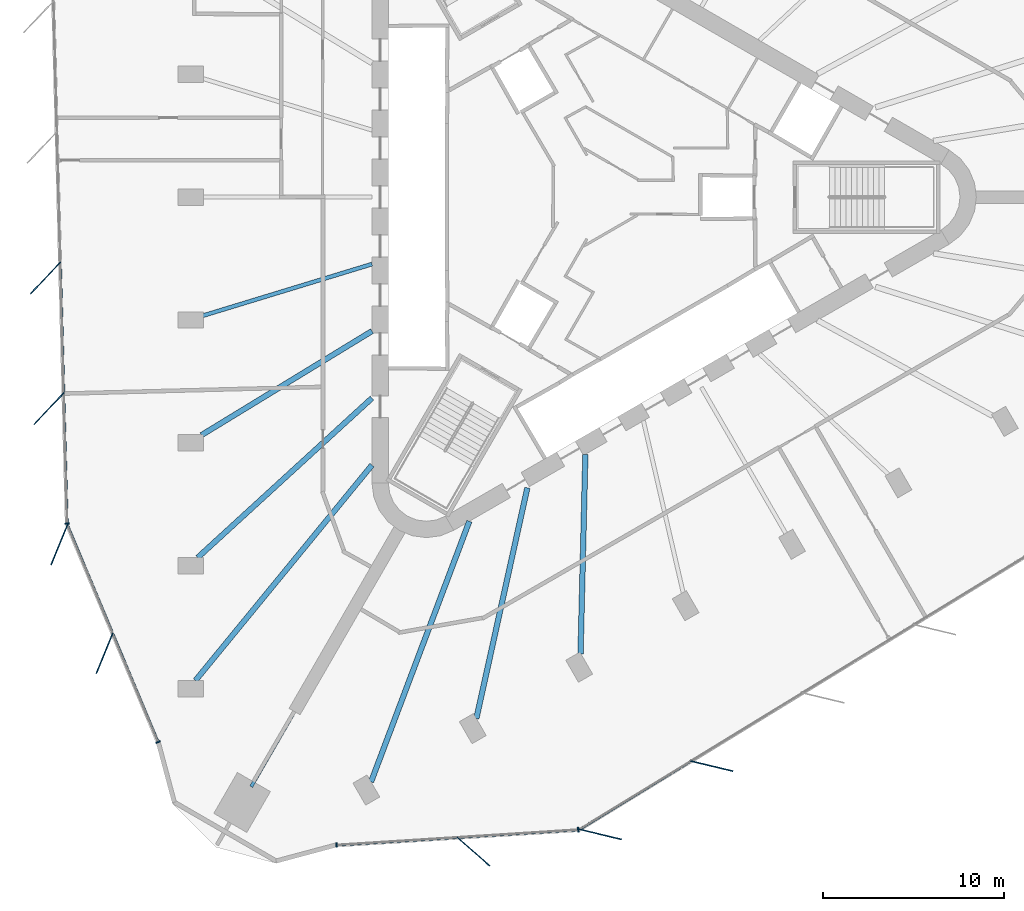
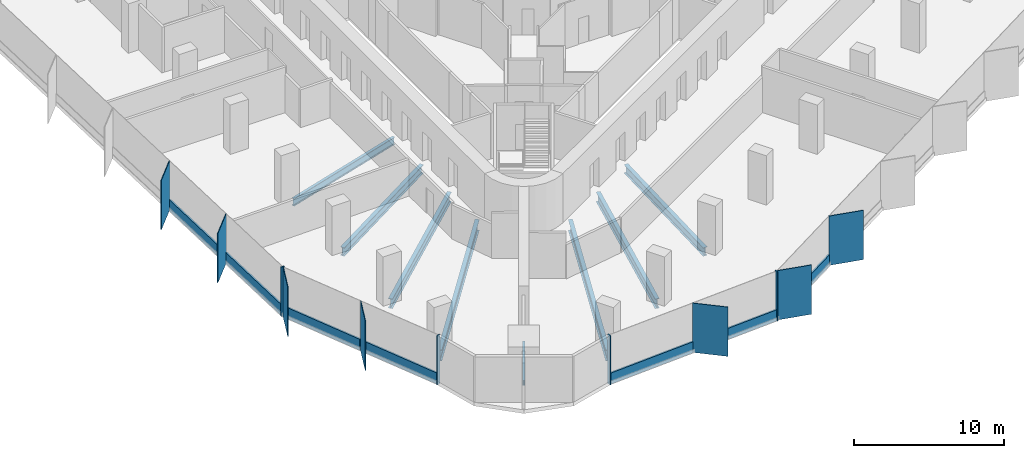
# One storey, part 2 of 14: 18 members, 8 beams, 4 elements without a shape of their own.
"""IFC4 building model written with IfcOpenShell, lengths in metres."""

from ifc_helpers import new_model, si_unit, direction, frame, origin, origin_2d, place, context, subcontext, project, spatial, rectangle, i_section, extrude, material, material_profile, profile_set, type_object, element, aggregate, save


model = new_model("IFC4")

# Units and contexts
model_context = context("Model", 3, precision=1e-05, world=origin(), true_north=direction((0.0, 1.0)))
body_context = subcontext(model_context, "Body", "Model", "MODEL_VIEW")
ifc_project = project(units=[si_unit("LENGTHUNIT", "METRE"), si_unit("AREAUNIT", "SQUARE_METRE"), si_unit("VOLUMEUNIT", "CUBIC_METRE"), si_unit("PLANEANGLEUNIT", "RADIAN"), si_unit("MASSUNIT", "GRAM", prefix="KILO")], contexts=[model_context])

# Site, building, storey
site_placement = place(None, origin())
site = spatial("IfcSite", under=ifc_project, at=site_placement, CompositionType="ELEMENT")
building_placement = place(site_placement, origin())
building = spatial("IfcBuilding", under=site, at=building_placement, Name="Tanit Gate Tower", CompositionType="ELEMENT")
storey_placement = place(building_placement, frame((0.0, 0.0, 217.199951171875)))
storey = spatial("IfcBuildingStorey", under=building, at=storey_placement, Name="L48", CompositionType="ELEMENT", Elevation=217.199951171875)

# Curtain wall, members
ifc_material_1 = material(Name="Aluminium bronze anodised and glass", Category="aluminium")
curtain_wall_type = type_object("IfcCurtainWallType", Name="Curtain wall typical mid", PredefinedType="NOTDEFINED", material=ifc_material_1)
curtain_wall_1_placement = place(storey_placement, origin())
curtain_wall_1 = element("IfcCurtainWall", 1, at=curtain_wall_1_placement, inside=storey, type_object=curtain_wall_type, Name="Curtain wall L48 W2", PredefinedType="NOTDEFINED")
ifc_material_2 = material(Name="Aluminium bronze anodised", Category="aluminium")
ifc_material_profile_1 = material_profile(ifc_material_2, rectangle(XDim=2.39990234375, YDim=0.055908203125, at=origin_2d()), Name="56x2400 bronze fin mullion")
ifc_profile_set_1 = profile_set([ifc_material_profile_1], Name="Aluminium bronze anodised")
member_type_1 = type_object("IfcMemberType", Name="FIN MULLION 56x2400 bronze", PredefinedType="MULLION", material=ifc_profile_set_1)
member_1_placement = place(storey_placement, frame((-30.085693359375, -4.4541015625, -0.300048828125), z_axis=(0.0, 0.0, 1.0), x_axis=(0.688437603131, 0.725295571884, 0.0)))
member_1 = element("IfcMember", 2, at=member_1_placement, type_object=member_type_1, Name="Fin mullion L48 W2.4", PredefinedType="MULLION", context=body_context, shape_type="SweptSolid", body=[
    extrude(rectangle(XDim=2.39990234375, YDim=0.055908203125, at=origin_2d()), origin(), (0.0, 0.0, 1.0), 4.0),
])
member_2_placement = place(storey_placement, frame((-29.898193359375, -11.651123046875, -0.300048828125), z_axis=(0.0, 0.0, 1.0), x_axis=(0.688437603131, 0.725295571884, 0.0)))
member_2 = element("IfcMember", 3, at=member_2_placement, type_object=member_type_1, Name="Fin mullion L48 W2.5", PredefinedType="MULLION", context=body_context, shape_type="SweptSolid", body=[
    extrude(rectangle(XDim=2.39990234375, YDim=0.055908203125, at=origin_2d()), origin(), (0.0, 0.0, 1.0), 4.0),
])

curtain_wall_2_placement = place(storey_placement, origin())
curtain_wall_2 = element("IfcCurtainWall", 4, at=curtain_wall_2_placement, inside=storey, type_object=curtain_wall_type, Name="Curtain wall L48 W3", PredefinedType="NOTDEFINED")
member_3_placement = place(storey_placement, frame((-29.330322265625, -19.16064453125, -0.300048828125), z_axis=(0.0, 0.0, 1.0), x_axis=(0.379912241202, 0.925022534312, 0.0)))
member_3 = element("IfcMember", 5, at=member_3_placement, type_object=member_type_1, Name="Fin mullion L48 W3.1", PredefinedType="MULLION", context=body_context, shape_type="SweptSolid", body=[
    extrude(rectangle(XDim=2.39990234375, YDim=0.055908203125, at=origin_2d()), origin(), (0.0, 0.0, 1.0), 4.0),
])
member_4_placement = place(storey_placement, frame((-26.833984375, -25.13671875, -0.300048828125), z_axis=(0.0, 0.0, 1.0), x_axis=(0.379912241202, 0.925022534312, 0.0)))
member_4 = element("IfcMember", 6, at=member_4_placement, type_object=member_type_1, Name="Fin mullion L48 W3.2", PredefinedType="MULLION", context=body_context, shape_type="SweptSolid", body=[
    extrude(rectangle(XDim=2.39990234375, YDim=0.055908203125, at=origin_2d()), origin(), (0.0, 0.0, 1.0), 4.0),
])

# Curtain wall, member
curtain_wall_3_placement = place(storey_placement, origin())
curtain_wall_3 = element("IfcCurtainWall", 7, at=curtain_wall_3_placement, inside=storey, type_object=curtain_wall_type, Name="Curtain wall L48 SE1", PredefinedType="NOTDEFINED")
member_5_placement = place(storey_placement, frame((-6.509765625, -36.059814453125, -0.300048828125), z_axis=(0.0, 0.0, 1.0), x_axis=(-0.750355268089, 0.661034773406, 0.0)))
member_5 = element("IfcMember", 8, at=member_5_placement, type_object=member_type_1, Name="Fin mullion L48 SE1.2", PredefinedType="MULLION", context=body_context, shape_type="SweptSolid", body=[
    extrude(rectangle(XDim=2.39990234375, YDim=0.055908203125, at=origin_2d()), origin(), (0.0, 0.0, 1.0), 4.0),
])

# Curtain wall, members
curtain_wall_4_placement = place(storey_placement, origin())
curtain_wall_4 = element("IfcCurtainWall", 9, at=curtain_wall_4_placement, inside=storey, type_object=curtain_wall_type, Name="Curtain wall L48 SE2", PredefinedType="NOTDEFINED")
member_6_placement = place(storey_placement, frame((0.48291015625, -35.111083984375, -0.300048828125), z_axis=(0.0, 0.0, 1.0), x_axis=(-0.97234319207, 0.23355666729, 0.0)))
member_6 = element("IfcMember", 10, at=member_6_placement, type_object=member_type_1, Name="Fin mullion L48 SE2.1", PredefinedType="MULLION", context=body_context, shape_type="SweptSolid", body=[
    extrude(rectangle(XDim=2.39990234375, YDim=0.055908203125, at=origin_2d()), origin(), (0.0, 0.0, 1.0), 4.0),
])
member_7_placement = place(storey_placement, frame((6.6220703125, -31.35009765625, -0.300048828125), z_axis=(0.0, 0.0, 1.0), x_axis=(-0.97234319207, 0.23355666729, 0.0)))
member_7 = element("IfcMember", 11, at=member_7_placement, type_object=member_type_1, Name="Fin mullion L48 SE2.2", PredefinedType="MULLION", context=body_context, shape_type="SweptSolid", body=[
    extrude(rectangle(XDim=2.39990234375, YDim=0.055908203125, at=origin_2d()), origin(), (0.0, 0.0, 1.0), 4.0),
])

# Member
ifc_material_3 = material(Name="Aluminium bronze anodised", Category="aluminium")
ifc_material_profile_2 = material_profile(ifc_material_3, rectangle(XDim=0.260009765625, YDim=0.080078125, at=origin_2d()), Name="80x260 bronze mullion")
ifc_profile_set_2 = profile_set([ifc_material_profile_2], Name="Aluminium bronze anodised")
member_type_2 = type_object("IfcMemberType", Name="Mullion 80x260 typical mid", PredefinedType="MULLION", material=ifc_profile_set_2)
member_8_placement = place(storey_placement, frame((-28.89892578125, -17.993408203125, -0.300048828125), z_axis=(0.0, 0.0, 1.0), x_axis=(0.999660314842, 0.026062519646, 0.0)))
member_8 = element("IfcMember", 12, at=member_8_placement, type_object=member_type_2, Name="Mullion L48 W2.6", PredefinedType="MULLION", context=body_context, shape_type="SweptSolid", body=[
    extrude(rectangle(XDim=0.260009765625, YDim=0.080078125, at=origin_2d()), origin(), (0.0, 0.0, 1.0), 4.0),
])

member_9_placement = place(storey_placement, frame((-23.8896484375, -30.0224609375, -0.300048828125), z_axis=(0.0, 0.0, 1.0), x_axis=(0.922728228772, 0.385451184752, 0.0)))
member_9 = element("IfcMember", 13, at=member_9_placement, type_object=member_type_2, Name="Mullion L48 W3.3", PredefinedType="MULLION", context=body_context, shape_type="SweptSolid", body=[
    extrude(rectangle(XDim=0.260009765625, YDim=0.080078125, at=origin_2d()), origin(), (0.0, 0.0, 1.0), 4.0),
])

member_10_placement = place(storey_placement, frame((-14.051513671875, -35.701904296875, -0.300048828125), z_axis=(0.0, 0.0, 1.0), x_axis=(-0.063159127489, 0.99800346924, 0.0)))
member_10 = element("IfcMember", 14, at=member_10_placement, type_object=member_type_2, Name="Mullion L48 SE1.1", PredefinedType="MULLION", context=body_context, shape_type="SweptSolid", body=[
    extrude(rectangle(XDim=0.260009765625, YDim=0.080078125, at=origin_2d()), origin(), (0.0, 0.0, 1.0), 4.0),
])

member_11_placement = place(storey_placement, frame((-0.7373046875, -34.859375, -0.300048828125), z_axis=(0.0, 0.0, 1.0), x_axis=(-0.063159127489, 0.99800346924, 0.0)))
member_11 = element("IfcMember", 15, at=member_11_placement, type_object=member_type_2, Name="Mullion L48 SE1.3", PredefinedType="MULLION", context=body_context, shape_type="SweptSolid", body=[
    extrude(rectangle(XDim=0.260009765625, YDim=0.080078125, at=origin_2d()), origin(), (0.0, 0.0, 1.0), 4.0),
])

# Beams
ifc_material_4 = material(Name="Steel S355", Category="steel")
ifc_material_profile_3 = material_profile(ifc_material_4, i_section(OverallWidth=0.300048828125, OverallDepth=0.68994140625, WebThickness=0.014404296875, FlangeThickness=0.027099609375, FilletRadius=0.027099609375, at=origin_2d()), Name="HEA 700")
ifc_profile_set_3 = profile_set([ifc_material_profile_3], Name="Steel S355")
beam_type_1 = type_object("IfcBeamType", Name="RADIAL GIRDER HEA 700 S355", PredefinedType="BEAM", material=ifc_profile_set_3)
for number, where, z_axis, x_axis, name in (
    (16, (-21.4970703125, -13.114990234375, -0.64501953125), (0.853674218832, 0.520807380997, 0.0), (-0.520807380997, 0.853674218832, 0.0), "RADIAL GIRDER"),
    (17, (-0.609375, -25.17431640625, -0.64501953125), (0.024202383749, 0.999707079409, 0.0), (-0.999707079409, 0.024202383749, 0.0), "RADIAL GIRDER"),
):
    element("IfcBeam", number, at=place(storey_placement, frame(where, z_axis=z_axis, x_axis=x_axis)), inside=storey, type_object=beam_type_1, Name=name, PredefinedType="BEAM", context=body_context, shape_type="SweptSolid", body=[
        extrude(i_section(OverallWidth=0.300048828125, OverallDepth=0.68994140625, WebThickness=0.014404296875, FlangeThickness=0.027099609375, FilletRadius=0.027099609375, at=origin_2d()), origin(), (0.0, 0.0, 1.0), 11.00537109375),
    ])
ifc_material_5 = material(Name="Steel S355", Category="steel")
ifc_material_profile_4 = material_profile(ifc_material_5, i_section(OverallWidth=0.300048828125, OverallDepth=0.7900390625, WebThickness=0.014892578125, FlangeThickness=0.028076171875, FilletRadius=0.030029296875, at=origin_2d()), Name="HEA 800")
ifc_profile_set_4 = profile_set([ifc_material_profile_4], Name="Steel S355")
beam_type_2 = type_object("IfcBeamType", Name="RADIAL GIRDER HEA 800 S355", PredefinedType="BEAM", material=ifc_profile_set_4)
for number, where, z_axis, x_axis, name in (
    (18, (-21.705322265625, -19.86279296875, -0.695068359375), (0.737724522126, 0.675101865983, 0.0), (-0.675101865983, 0.737724522126, 0.0), "RADIAL GIRDER"),
    (19, (-6.349365234375, -28.728759765625, -0.695068359375), (0.21581230457, 0.976434866848, 0.0), (-0.976434866848, 0.21581230457, 0.0), "RADIAL GIRDER"),
):
    element("IfcBeam", number, at=place(storey_placement, frame(where, z_axis=z_axis, x_axis=x_axis)), inside=storey, type_object=beam_type_2, Name=name, PredefinedType="BEAM", context=body_context, shape_type="SweptSolid", body=[
        extrude(i_section(OverallWidth=0.300048828125, OverallDepth=0.7900390625, WebThickness=0.014892578125, FlangeThickness=0.028076171875, FilletRadius=0.030029296875, at=origin_2d()), origin(), (0.0, 0.0, 1.0), 13.017333984375),
    ])
ifc_material_6 = material(Name="Steel S355", Category="steel")
ifc_material_profile_5 = material_profile(ifc_material_6, i_section(OverallWidth=0.300048828125, OverallDepth=0.889892578125, WebThickness=0.01611328125, FlangeThickness=0.030029296875, FilletRadius=0.030029296875, at=origin_2d()), Name="HEA 900")
ifc_profile_set_5 = profile_set([ifc_material_profile_5], Name="Steel S355")
beam_type_3 = type_object("IfcBeamType", Name="RADIAL GIRDER HEA 900 S355", PredefinedType="BEAM", material=ifc_profile_set_5)
beam_1_placement = place(storey_placement, frame((-21.828125, -26.6337890625, -0.744873046875), z_axis=(0.633876155271, 0.77343456076, 0.0), x_axis=(-0.77343456076, 0.633876155271, 0.0)))
element("IfcBeam", 20, at=beam_1_placement, inside=storey, type_object=beam_type_3, Name="RADIAL GIRDER", PredefinedType="BEAM", context=body_context, shape_type="SweptSolid", body=[
    extrude(i_section(OverallWidth=0.300048828125, OverallDepth=0.889892578125, WebThickness=0.01611328125, FlangeThickness=0.030029296875, FilletRadius=0.030029296875, at=origin_2d()), origin(), (0.0, 0.0, 1.0), 15.34375),
])
beam_2_placement = place(storey_placement, frame((-12.151611328125, -32.220703125, -0.744873046875), z_axis=(0.352876972664, 0.935669729212, 0.0), x_axis=(-0.935669729212, 0.352876972664, 0.0)))
element("IfcBeam", 21, at=beam_2_placement, inside=storey, type_object=beam_type_3, Name="RADIAL GIRDER", PredefinedType="BEAM", context=body_context, shape_type="SweptSolid", body=[
    extrude(i_section(OverallWidth=0.300048828125, OverallDepth=0.889892578125, WebThickness=0.01611328125, FlangeThickness=0.030029296875, FilletRadius=0.030029296875, at=origin_2d()), origin(), (0.0, 0.0, 1.0), 15.343994140625),
])
ifc_material_7 = material(Name="Steel S355", Category="steel")
ifc_material_profile_6 = material_profile(ifc_material_7, i_section(OverallWidth=0.179931640625, OverallDepth=0.39990234375, WebThickness=0.008544921875, FlangeThickness=0.013427734375, FilletRadius=0.02099609375, at=origin_2d()), Name="IPE 400")
ifc_profile_set_6 = profile_set([ifc_material_profile_6], Name="Steel S355")
beam_type_4 = type_object("IfcBeamType", Name="RADIAL GIRDER IPE 400 S355", PredefinedType="BEAM", material=ifc_profile_set_6)
beam_3_placement = place(storey_placement, frame((-18.755615234375, -32.485595703125, -0.5), z_axis=(0.500013963156, 0.866017342002, 0.0), x_axis=(-0.866017342002, 0.500013963156, 0.0)))
element("IfcBeam", 22, at=beam_3_placement, inside=storey, type_object=beam_type_4, Name="RADIAL GIRDER", PredefinedType="BEAM", context=body_context, shape_type="SweptSolid", body=[
    extrude(i_section(OverallWidth=0.179931640625, OverallDepth=0.39990234375, WebThickness=0.008544921875, FlangeThickness=0.013427734375, FilletRadius=0.02099609375, at=origin_2d()), origin(), (0.0, 0.0, 1.0), 4.567138671875),
])
ifc_material_8 = material(Name="Steel S355", Category="steel")
ifc_material_profile_7 = material_profile(ifc_material_8, i_section(OverallWidth=0.219970703125, OverallDepth=0.60009765625, WebThickness=0.011962890625, FlangeThickness=0.01904296875, FilletRadius=0.02392578125, at=origin_2d()), Name="IPE 600")
ifc_profile_set_7 = profile_set([ifc_material_profile_7], Name="Steel S355")
beam_type_5 = type_object("IfcBeamType", Name="RADIAL GIRDER IPE 600 S355", PredefinedType="BEAM", material=ifc_profile_set_7)
beam_4_placement = place(storey_placement, frame((-21.4970703125, -6.5576171875, -0.599853515625), z_axis=(0.956486148302, 0.291777737511, 0.0), x_axis=(-0.291777737511, 0.956486148302, 0.0)))
element("IfcBeam", 23, at=beam_4_placement, inside=storey, type_object=beam_type_5, Name="RADIAL GIRDER", PredefinedType="BEAM", context=body_context, shape_type="SweptSolid", body=[
    extrude(i_section(OverallWidth=0.219970703125, OverallDepth=0.60009765625, WebThickness=0.011962890625, FlangeThickness=0.01904296875, FilletRadius=0.02392578125, at=origin_2d()), origin(), (0.0, 0.0, 1.0), 9.822509765625),
])

# Member
ifc_material_9 = material(Name="Aluminium bronze anodised", Category="aluminium")
ifc_material_profile_8 = material_profile(ifc_material_9, rectangle(XDim=0.139892578125, YDim=0.89990234375, at=origin_2d()), Name="140x900 bronze transom")
ifc_profile_set_8 = profile_set([ifc_material_profile_8], Name="Aluminium bronze anodised")
member_type_3 = type_object("IfcMemberType", Name="Transom 140x900 typical mid", PredefinedType="USERDEFINED", material=ifc_profile_set_8)
member_12_placement = place(storey_placement, frame((-29.273193359375, -3.63916015625, 0.150146484375), z_axis=(0.026061397555, -0.999660344096, 0.0), x_axis=(0.999660344096, 0.026061397555, 0.0)))
member_12 = element("IfcMember", 24, at=member_12_placement, type_object=member_type_3, Name="Transom L48 W2.4", ObjectType="TRANSOM", PredefinedType="USERDEFINED", context=body_context, shape_type="SweptSolid", body=[
    extrude(rectangle(XDim=0.139892578125, YDim=0.89990234375, at=origin_2d()), origin(), (0.0, 0.0, 1.0), 7.11962890625),
])

member_13_placement = place(storey_placement, frame((-29.08544921875, -10.836181640625, 0.150146484375), z_axis=(0.026061397555, -0.999660344096, 0.0), x_axis=(0.999660344096, 0.026061397555, 0.0)))
member_13 = element("IfcMember", 25, at=member_13_placement, type_object=member_type_3, Name="Transom L48 W2.5", ObjectType="TRANSOM", PredefinedType="USERDEFINED", context=body_context, shape_type="SweptSolid", body=[
    extrude(rectangle(XDim=0.139892578125, YDim=0.89990234375, at=origin_2d()), origin(), (0.0, 0.0, 1.0), 7.11962890625),
])

aggregate(curtain_wall_1, [member_1, member_2, member_8, member_12, member_13])

member_14_placement = place(storey_placement, frame((-28.866943359375, -18.107177734375, 0.150146484375), z_axis=(0.385449935918, -0.922728750447, 0.0), x_axis=(0.922728750447, 0.385449935918, 0.0)))
member_14 = element("IfcMember", 26, at=member_14_placement, type_object=member_type_3, Name="Transom L48 W3.1", ObjectType="TRANSOM", PredefinedType="USERDEFINED", context=body_context, shape_type="SweptSolid", body=[
    extrude(rectangle(XDim=0.139892578125, YDim=0.89990234375, at=origin_2d()), origin(), (0.0, 0.0, 1.0), 6.396728515625),
])

member_15_placement = place(storey_placement, frame((-26.37060546875, -24.083251953125, 0.150146484375), z_axis=(0.385449935918, -0.922728750447, 0.0), x_axis=(0.922728750447, 0.385449935918, 0.0)))
member_15 = element("IfcMember", 27, at=member_15_placement, type_object=member_type_3, Name="Transom L48 W3.2", ObjectType="TRANSOM", PredefinedType="USERDEFINED", context=body_context, shape_type="SweptSolid", body=[
    extrude(rectangle(XDim=0.139892578125, YDim=0.89990234375, at=origin_2d()), origin(), (0.0, 0.0, 1.0), 6.396728515625),
])

aggregate(curtain_wall_2, [member_3, member_4, member_9, member_14, member_15])

member_16_placement = place(storey_placement, frame((-14.011474609375, -35.699462890625, 0.150146484375), z_axis=(0.998003260948, 0.063162418705, 0.0), x_axis=(-0.063162418705, 0.998003260948, 0.0)))
member_16 = element("IfcMember", 28, at=member_16_placement, type_object=member_type_3, Name="Transom L48 SE1.1", ObjectType="TRANSOM", PredefinedType="USERDEFINED", context=body_context, shape_type="SweptSolid", body=[
    extrude(rectangle(XDim=0.139892578125, YDim=0.89990234375, at=origin_2d()), origin(), (0.0, 0.0, 1.0), 6.59033203125),
])

member_17_placement = place(storey_placement, frame((-7.3544921875, -35.278076171875, 0.150146484375), z_axis=(0.998003408732, 0.063160083586, 0.0), x_axis=(-0.063160083586, 0.998003408732, 0.0)))
member_17 = element("IfcMember", 29, at=member_17_placement, type_object=member_type_3, Name="Transom L48 SE1.2", ObjectType="TRANSOM", PredefinedType="USERDEFINED", context=body_context, shape_type="SweptSolid", body=[
    extrude(rectangle(XDim=0.139892578125, YDim=0.89990234375, at=origin_2d()), origin(), (0.0, 0.0, 1.0), 6.590576171875),
])

aggregate(curtain_wall_3, [member_10, member_5, member_11, member_16, member_17])

member_18_placement = place(storey_placement, frame((-0.629150390625, -34.81494140625, 0.150146484375), z_axis=(0.852699806703, 0.522401224777, 0.0), x_axis=(-0.522401224777, 0.852699806703, 0.0)))
member_18 = element("IfcMember", 30, at=member_18_placement, type_object=member_type_3, Name="Transom L48 SE2.1", ObjectType="TRANSOM", PredefinedType="USERDEFINED", context=body_context, shape_type="SweptSolid", body=[
    extrude(rectangle(XDim=0.139892578125, YDim=0.89990234375, at=origin_2d()), origin(), (0.0, 0.0, 1.0), 7.119384765625),
])

aggregate(curtain_wall_4, [member_6, member_7, member_18])

save(model, "model.ifc")
